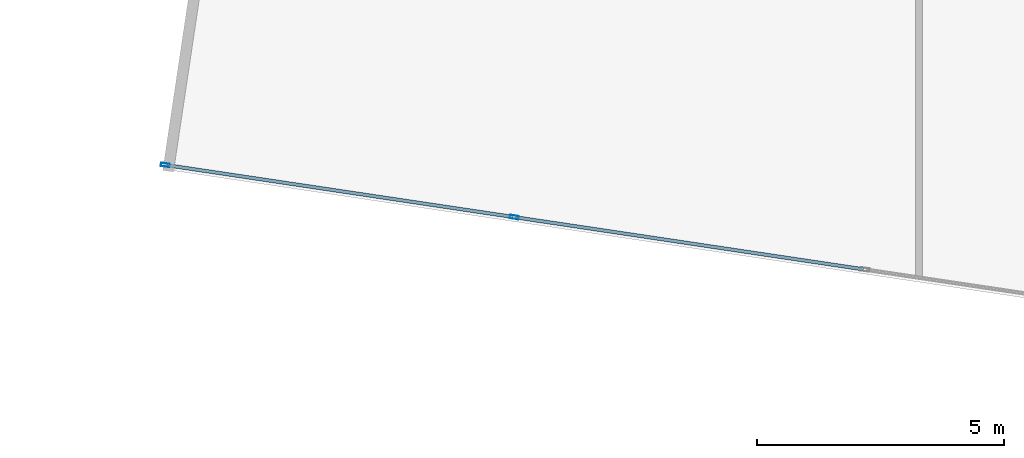
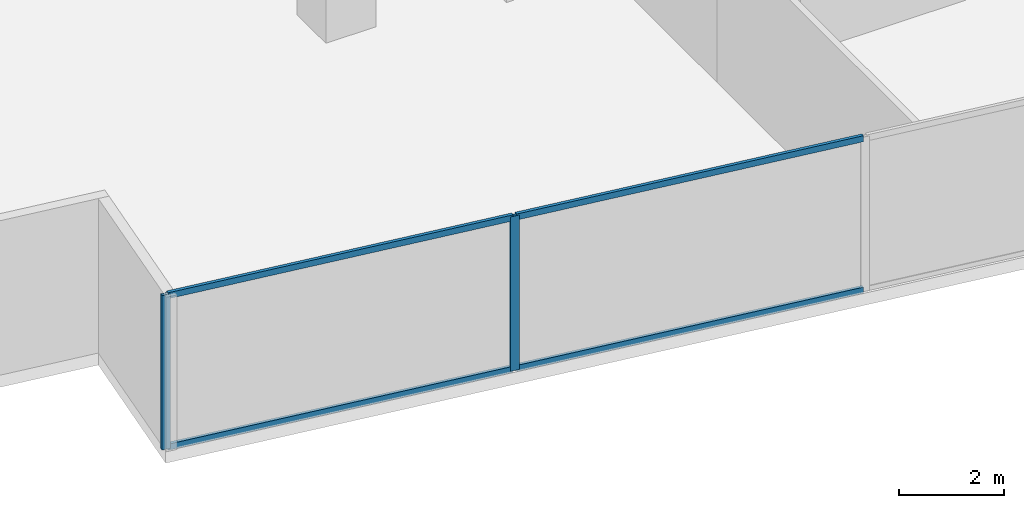
# One storey, part 2 of 29: 6 members, 1 element without a shape of its own.
"""IFC4 building model written with IfcOpenShell, lengths in metres."""

from ifc_helpers import new_model, si_unit, direction, frame, origin, origin_2d, place, context, subcontext, project, spatial, hollow_rectangle, extrude, source, transform, mapped, material, material_profile, profile_set, type_object, type_shapes, element, aggregate, save


model = new_model("IFC4")

# Units and contexts
model_context = context("Model", 3, precision=1e-05, world=origin(), true_north=direction((0.0, 1.0)))
body_context = subcontext(model_context, "Body", "Model", "MODEL_VIEW")
ifc_project = project(units=[si_unit("LENGTHUNIT", "METRE"), si_unit("AREAUNIT", "SQUARE_METRE"), si_unit("VOLUMEUNIT", "CUBIC_METRE"), si_unit("PLANEANGLEUNIT", "RADIAN"), si_unit("MASSUNIT", "GRAM", prefix="KILO")], contexts=[model_context])

# Site, building, storey
site_placement = place(None, origin())
site = spatial("IfcSite", under=ifc_project, at=site_placement, CompositionType="ELEMENT")
building_placement = place(site_placement, origin())
building = spatial("IfcBuilding", under=site, at=building_placement, Name="Krantzveldt Concourse Tower", CompositionType="ELEMENT")
storey_placement = place(building_placement, frame((0.0, 0.0, 76.35009765625)))
storey = spatial("IfcBuildingStorey", under=building, at=storey_placement, Name="L18", CompositionType="ELEMENT", Elevation=76.35009765625)

# Curtain wall, members
ifc_material = material(Name="Anodised aluminium 6063-T6", Category="aluminium")
curtain_wall_type = type_object("IfcCurtainWallType", Name="CW2", PredefinedType="USERDEFINED", material=ifc_material)
curtain_wall_placement = place(storey_placement, origin())
curtain_wall = element("IfcCurtainWall", 1, at=curtain_wall_placement, inside=storey, type_object=curtain_wall_type, Name="CW-L18-F04", ObjectType="UNITISED CURTAIN WALL", PredefinedType="USERDEFINED")
ifc_material_profile_1 = material_profile(ifc_material, hollow_rectangle(XDim=0.070068359375, YDim=0.139892578125, WallThickness=0.0048828125, at=origin_2d()), Name="Anodised aluminium 6063-T6", Category="aluminium")
ifc_profile_set_1 = profile_set([ifc_material_profile_1], Name="Anodised aluminium 6063-T6 - ALU-TRAN 140x70x5")
member_type_1 = type_object("IfcMemberType", Name="CW-TRN-150", PredefinedType="USERDEFINED", material=ifc_profile_set_1)
shared_shape_1 = source(origin(), body_context, "Body", "SweptSolid", [
    extrude(hollow_rectangle(XDim=0.070068359375, YDim=0.139892578125, WallThickness=0.0048828125, at=origin_2d()), origin(), (0.0, 0.0, 1.0), 7.0966796875),
])
member_1_placement = place(storey_placement, frame((18.1767578125, 4.177001953125, 0.034912109375), z_axis=(0.989018713841, -0.14779033687, 0.0), x_axis=(0.14779033687, 0.989018713841, 0.0)))
member_1 = element("IfcMember", 2, at=member_1_placement, type_object=member_type_1, Name="CW-Z12 transom 2.1", ObjectType="TRANSOM", PredefinedType="USERDEFINED", context=body_context, shape_type="MappedRepresentation", body=[
    mapped(shared_shape_1, transform((0.0, 0.0, 0.0), x_axis=(1.0, 0.0, 0.0), y_axis=(0.0, 1.0, 0.0), z_axis=(0.0, 0.0, 1.0), scale=1.0)),
])
member_2_placement = place(storey_placement, frame((18.1767578125, 4.177001953125, 3.554931640625), z_axis=(0.989018713841, -0.14779033687, 0.0), x_axis=(0.14779033687, 0.989018713841, 0.0)))
member_2 = element("IfcMember", 3, at=member_2_placement, type_object=member_type_1, Name="CW-Z12 transom 2.2", ObjectType="TRANSOM", PredefinedType="USERDEFINED", context=body_context, shape_type="MappedRepresentation", body=[
    mapped(shared_shape_1, transform((0.0, 0.0, 0.0), x_axis=(1.0, 0.0, 0.0), y_axis=(0.0, 1.0, 0.0), z_axis=(0.0, 0.0, 1.0), scale=1.0)),
])
shared_shape_2 = source(origin(), body_context, "Body", "SweptSolid", [
    extrude(hollow_rectangle(XDim=0.070068359375, YDim=0.139892578125, WallThickness=0.0048828125, at=origin_2d()), origin(), (0.0, 0.0, 1.0), 7.061767578125),
])
type_shapes(member_type_1, [shared_shape_1, shared_shape_2])
member_3_placement = place(storey_placement, frame((11.12353515625, 5.231201171875, 0.034912109375), z_axis=(0.989017605897, -0.147797751082, 0.0), x_axis=(0.147797751082, 0.989017605897, 0.0)))
member_3 = element("IfcMember", 4, at=member_3_placement, type_object=member_type_1, Name="CW-Z12 transom 1.1", ObjectType="TRANSOM", PredefinedType="USERDEFINED", context=body_context, shape_type="MappedRepresentation", body=[
    mapped(shared_shape_2, transform((0.0, 0.0, 0.0), x_axis=(1.0, 0.0, 0.0), y_axis=(0.0, 1.0, 0.0), z_axis=(0.0, 0.0, 1.0), scale=1.0)),
])
member_4_placement = place(storey_placement, frame((11.12353515625, 5.231201171875, 3.554931640625), z_axis=(0.989017605897, -0.147797751082, 0.0), x_axis=(0.147797751082, 0.989017605897, 0.0)))
member_4 = element("IfcMember", 5, at=member_4_placement, type_object=member_type_1, Name="CW-Z12 transom 1.2", ObjectType="TRANSOM", PredefinedType="USERDEFINED", context=body_context, shape_type="MappedRepresentation", body=[
    mapped(shared_shape_2, transform((0.0, 0.0, 0.0), x_axis=(1.0, 0.0, 0.0), y_axis=(0.0, 1.0, 0.0), z_axis=(0.0, 0.0, 1.0), scale=1.0)),
])
ifc_material_profile_2 = material_profile(ifc_material, hollow_rectangle(XDim=0.070068359375, YDim=0.179931640625, WallThickness=0.0048828125, at=origin_2d()), Name="Anodised aluminium 6063-T6", Category="aluminium")
ifc_profile_set_2 = profile_set([ifc_material_profile_2], Name="Anodised aluminium 6063-T6 - ALU-MULL 180x70x5")
member_type_2 = type_object("IfcMemberType", Name="CW-MUL-180", PredefinedType="MULLION", material=ifc_profile_set_2)
shared_shape_3 = source(origin(), body_context, "Body", "SweptSolid", [
    extrude(hollow_rectangle(XDim=0.070068359375, YDim=0.179931640625, WallThickness=0.0048828125, at=origin_2d()), origin(), (0.0, 0.0, 1.0), 3.58984375),
])
type_shapes(member_type_2, [shared_shape_3])
member_5_placement = place(storey_placement, frame((11.0888671875, 5.236328125, 0.0), z_axis=(0.0, 0.0, 1.0), x_axis=(0.147809505412, 0.989015849271, 0.0)))
member_5 = element("IfcMember", 6, at=member_5_placement, type_object=member_type_2, Name="CW-Z12 mullion 1", PredefinedType="MULLION", context=body_context, shape_type="MappedRepresentation", body=[
    mapped(shared_shape_3, transform((0.0, 0.0, 0.0), x_axis=(1.0, 0.0, 0.0), y_axis=(0.0, 1.0, 0.0), z_axis=(0.0, 0.0, 1.0), scale=1.0)),
])
member_6_placement = place(storey_placement, frame((18.14208984375, 4.18212890625, 0.0), z_axis=(0.0, 0.0, 1.0), x_axis=(0.147809505412, 0.989015849271, 0.0)))
member_6 = element("IfcMember", 7, at=member_6_placement, type_object=member_type_2, Name="CW-Z12 mullion 2", PredefinedType="MULLION", context=body_context, shape_type="MappedRepresentation", body=[
    mapped(shared_shape_3, transform((0.0, 0.0, 0.0), x_axis=(1.0, 0.0, 0.0), y_axis=(0.0, 1.0, 0.0), z_axis=(0.0, 0.0, 1.0), scale=1.0)),
])
aggregate(curtain_wall, [member_5, member_6, member_3, member_4, member_1, member_2])

save(model, "model.ifc")
